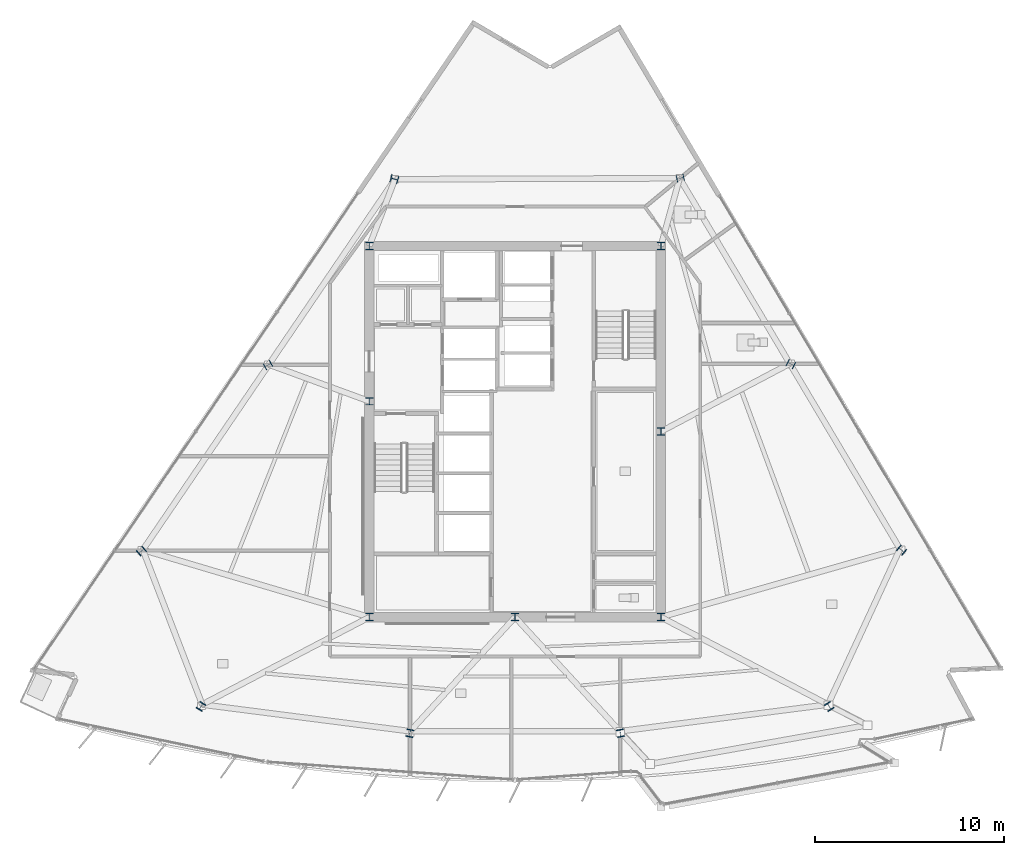
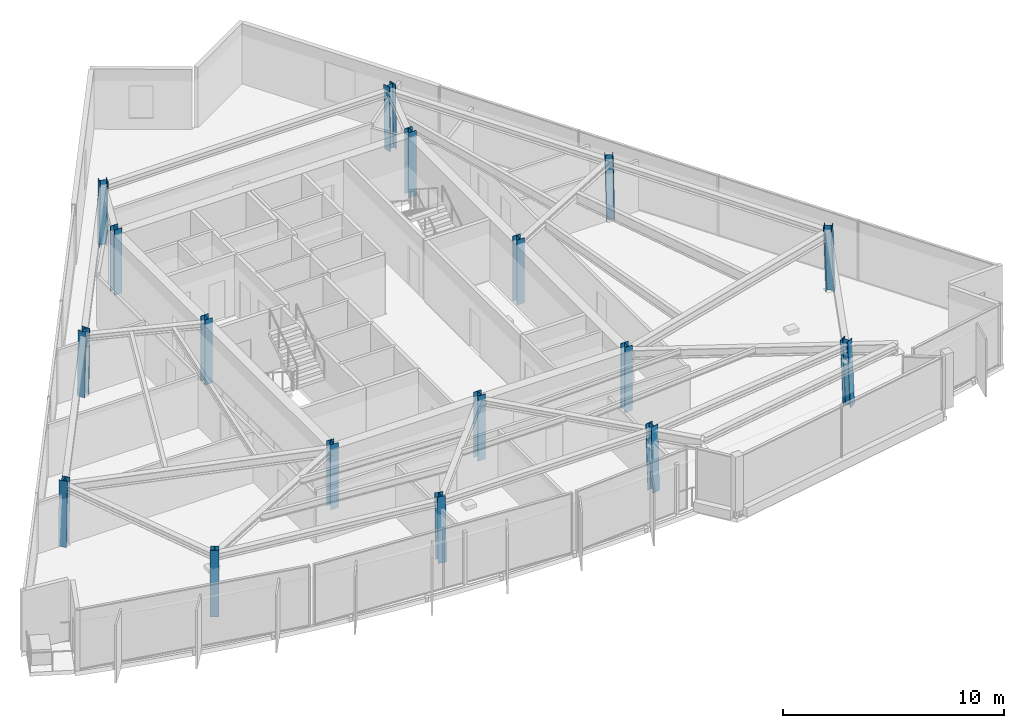
# One storey, part 1 of 13: 17 columns.
"""IFC4 building model written with IfcOpenShell, lengths in metres."""

from ifc_helpers import new_model, si_unit, direction, frame, origin, origin_2d, place, context, subcontext, project, spatial, i_section, extrude, material, material_profile, profile_set, type_object, element, save


model = new_model("IFC4")

# Units and contexts
model_context = context("Model", 3, precision=1e-05, world=origin(), true_north=direction((0.0, 1.0)))
body_context = subcontext(model_context, "Body", "Model", "MODEL_VIEW")
ifc_project = project(units=[si_unit("LENGTHUNIT", "METRE"), si_unit("AREAUNIT", "SQUARE_METRE"), si_unit("VOLUMEUNIT", "CUBIC_METRE"), si_unit("PLANEANGLEUNIT", "RADIAN"), si_unit("MASSUNIT", "GRAM", prefix="KILO")], contexts=[model_context])

# Site, building, storey
site_placement = place(None, origin())
site = spatial("IfcSite", under=ifc_project, at=site_placement, CompositionType="ELEMENT")
building_placement = place(site_placement, origin())
building = spatial("IfcBuilding", under=site, at=building_placement, Name="Savorim Split Tower", CompositionType="ELEMENT")
storey_placement = place(building_placement, frame((0.0, 0.0, 216.300048828125)))
storey = spatial("IfcBuildingStorey", under=building, at=storey_placement, Name="L57", CompositionType="ELEMENT", Elevation=216.300048828125)

# Columns
ifc_material = material(Name="Steel S355", Category="steel")
ifc_material_profile = material_profile(ifc_material, i_section(OverallWidth=0.39794921875, OverallDepth=0.386962890625, WebThickness=0.013427734375, FlangeThickness=0.02197265625, FilletRadius=0.014892578125, at=origin_2d()), Name="HD 400x262")
ifc_profile_set = profile_set([ifc_material_profile], Name="Steel S355")
column_type = type_object("IfcColumnType", Name="COL-HD-262", PredefinedType="COLUMN", material=ifc_profile_set)
for number, where, z_axis, x_axis, name in (
    (1, (-7.699951171875, -9.39990234375, 0.0), (0.0, 0.0, 1.0), (1.0, 0.0, 0.0), "L57 Core Structural Column TC-C1"),
    (2, (7.699951171875, -9.39990234375, 0.0), (0.0, 0.0, 1.0), (1.0, 0.0, 0.0), "L57 Core Structural Column TC-C2"),
    (3, (7.699951171875, 10.199951171875, 0.0), (0.0, 0.0, 1.0), (1.0, 0.0, 0.0), "L57 Core Structural Column TC-C3"),
    (4, (-7.699951171875, 10.199951171875, 0.0), (0.0, 0.0, 1.0), (1.0, 0.0, 0.0), "L57 Core Structural Column TC-C4"),
    (5, (0.0, -9.39990234375, 0.0), (0.0, 0.0, 1.0), (1.0, 0.0, 0.0), "L57 Core Structural Column TC-C5"),
    (6, (7.699951171875, 0.39990234375, 0.0), (0.0, 0.0, 1.0), (1.0, 0.0, 0.0), "L57 Core Structural Column TC-C6"),
    (7, (-7.699951171875, 2.0, 0.0), (0.0, 0.0, 1.0), (1.0, 0.0, 0.0), "L57 Core Structural Column TC-C7"),
):
    element("IfcColumn", number, at=place(storey_placement, frame(where, z_axis=z_axis, x_axis=x_axis)), inside=storey, type_object=column_type, Name=name, PredefinedType="COLUMN", context=body_context, shape_type="SweptSolid", body=[
        extrude(i_section(OverallWidth=0.39794921875, OverallDepth=0.386962890625, WebThickness=0.013427734375, FlangeThickness=0.02197265625, FilletRadius=0.014892578125, at=origin_2d()), origin(), (0.0, 0.0, 1.0), 3.599853515625),
    ])
column_1_placement = place(storey_placement, frame((-16.595947265625, -14.135009765625, 0.00537109375), z_axis=(0.020594893987, 0.033509183946, 0.999226193078), x_axis=(-0.851954850327, 0.523615252838, 0.0)))
element("IfcColumn", 8, at=column_1_placement, inside=storey, type_object=column_type, Name="L57 Tapered Perimeter Column PC-S1", PredefinedType="COLUMN", context=body_context, shape_type="SweptSolid", body=[
    extrude(i_section(OverallWidth=0.39794921875, OverallDepth=0.386962890625, WebThickness=0.013427734375, FlangeThickness=0.02197265625, FilletRadius=0.014892578125, at=origin_2d()), origin(), (0.0, 0.0, 1.0), 3.591796875),
])
for number, where, z_axis, x_axis, name in (
    (9, (-5.562255859375, -15.5517578125, 0.00537109375), (0.00693381708, 0.03528089279, 0.999353381334), (-0.981229659911, 0.192842823335, 0.0), "L57 Tapered Perimeter Column PC-S2"),
    (10, (5.562255859375, -15.5517578125, 0.00537109375), (-0.00693381708, 0.03528089279, 0.999353381334), (-0.981229659911, -0.192842823335, 0.0), "L57 Tapered Perimeter Column PC-S3"),
):
    element("IfcColumn", number, at=place(storey_placement, frame(where, z_axis=z_axis, x_axis=x_axis)), inside=storey, type_object=column_type, Name=name, PredefinedType="COLUMN", context=body_context, shape_type="SweptSolid", body=[
        extrude(i_section(OverallWidth=0.39794921875, OverallDepth=0.386962890625, WebThickness=0.013427734375, FlangeThickness=0.02197265625, FilletRadius=0.014892578125, at=origin_2d()), origin(), (0.0, 0.0, 1.0), 3.591552734375),
    ])
column_2_placement = place(storey_placement, frame((16.595947265625, -14.135009765625, 0.00537109375), z_axis=(-0.020594893987, 0.033509183946, 0.999226193078), x_axis=(-0.851954850327, -0.523615252838, 0.0)))
element("IfcColumn", 11, at=column_2_placement, inside=storey, type_object=column_type, Name="L57 Tapered Perimeter Column PC-S4", PredefinedType="COLUMN", context=body_context, shape_type="SweptSolid", body=[
    extrude(i_section(OverallWidth=0.39794921875, OverallDepth=0.386962890625, WebThickness=0.013427734375, FlangeThickness=0.02197265625, FilletRadius=0.014892578125, at=origin_2d()), origin(), (0.0, 0.0, 1.0), 3.591796875),
])
column_3_placement = place(storey_placement, frame((20.418701171875, -5.874267578125, 0.00537109375), z_axis=(-0.026105663043, 0.021618752208, 0.999425396871), x_axis=(-0.637813971185, -0.770190455771, 0.0)))
element("IfcColumn", 12, at=column_3_placement, inside=storey, type_object=column_type, Name="L57 Tapered Perimeter Column PC-E1", PredefinedType="COLUMN", context=body_context, shape_type="SweptSolid", body=[
    extrude(i_section(OverallWidth=0.39794921875, OverallDepth=0.386962890625, WebThickness=0.013427734375, FlangeThickness=0.02197265625, FilletRadius=0.014892578125, at=origin_2d()), origin(), (0.0, 0.0, 1.0), 3.591064453125),
])
column_4_placement = place(storey_placement, frame((14.57421875, 3.95458984375, 0.00537109375), z_axis=(-0.018906041, 0.009521027842, 0.999775930718), x_axis=(-0.449781931574, -0.893138406984, 0.0)))
element("IfcColumn", 13, at=column_4_placement, inside=storey, type_object=column_type, Name="L57 Tapered Perimeter Column PC-E2", PredefinedType="COLUMN", context=body_context, shape_type="SweptSolid", body=[
    extrude(i_section(OverallWidth=0.39794921875, OverallDepth=0.386962890625, WebThickness=0.013427734375, FlangeThickness=0.02197265625, FilletRadius=0.014892578125, at=origin_2d()), origin(), (0.0, 0.0, 1.0), 3.58984375),
])
for number, where, z_axis, x_axis, name in (
    (14, (8.72998046875, 13.783203125, 0.00537109375), (-0.011767054935, -0.002516653368, 0.999927598816), (0.209143047003, -0.977885057607, 0.0), "L57 Tapered Perimeter Column PC-E3"),
    (15, (-6.37548828125, 13.734619140625, 0.00537109375), (0.008774546149, -0.002584750028, 0.999958162328), (0.282568886397, 0.959247009086, 0.0), "L57 Tapered Perimeter Column PC-W1"),
):
    element("IfcColumn", number, at=place(storey_placement, frame(where, z_axis=z_axis, x_axis=x_axis)), inside=storey, type_object=column_type, Name=name, PredefinedType="COLUMN", context=body_context, shape_type="SweptSolid", body=[
        extrude(i_section(OverallWidth=0.39794921875, OverallDepth=0.386962890625, WebThickness=0.013427734375, FlangeThickness=0.02197265625, FilletRadius=0.014892578125, at=origin_2d()), origin(), (0.0, 0.0, 1.0), 3.58935546875),
    ])
column_5_placement = place(storey_placement, frame((-13.06201171875, 3.90576171875, 0.00537109375), z_axis=(0.017070406608, 0.009521342331, 0.99980895438), x_axis=(-0.487119351792, 0.873335409284, 0.0)))
element("IfcColumn", 16, at=column_5_placement, inside=storey, type_object=column_type, Name="L57 Tapered Perimeter Column PC-W2", PredefinedType="COLUMN", context=body_context, shape_type="SweptSolid", body=[
    extrude(i_section(OverallWidth=0.39794921875, OverallDepth=0.386962890625, WebThickness=0.013427734375, FlangeThickness=0.02197265625, FilletRadius=0.014892578125, at=origin_2d()), origin(), (0.0, 0.0, 1.0), 3.58984375),
])
column_6_placement = place(storey_placement, frame((-19.748291015625, -5.923095703125, 0.00537109375), z_axis=(0.025222449659, 0.021619242565, 0.999448065876), x_axis=(-0.650791373456, 0.759256602365, 0.0)))
element("IfcColumn", 17, at=column_6_placement, inside=storey, type_object=column_type, Name="L57 Tapered Perimeter Column PC-W3", PredefinedType="COLUMN", context=body_context, shape_type="SweptSolid", body=[
    extrude(i_section(OverallWidth=0.39794921875, OverallDepth=0.386962890625, WebThickness=0.013427734375, FlangeThickness=0.02197265625, FilletRadius=0.014892578125, at=origin_2d()), origin(), (0.0, 0.0, 1.0), 3.591064453125),
])

save(model, "model.ifc")
